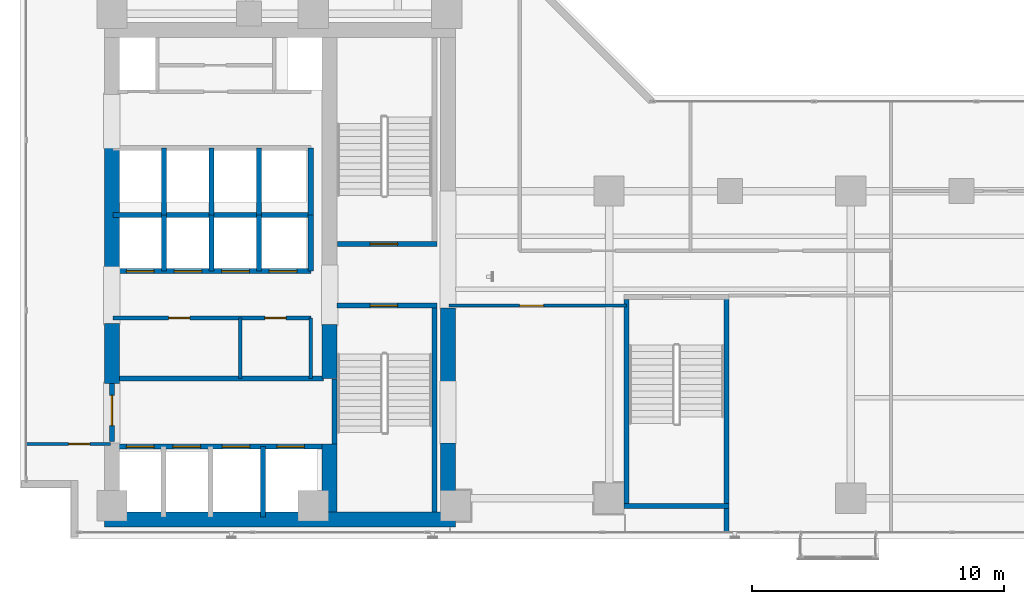
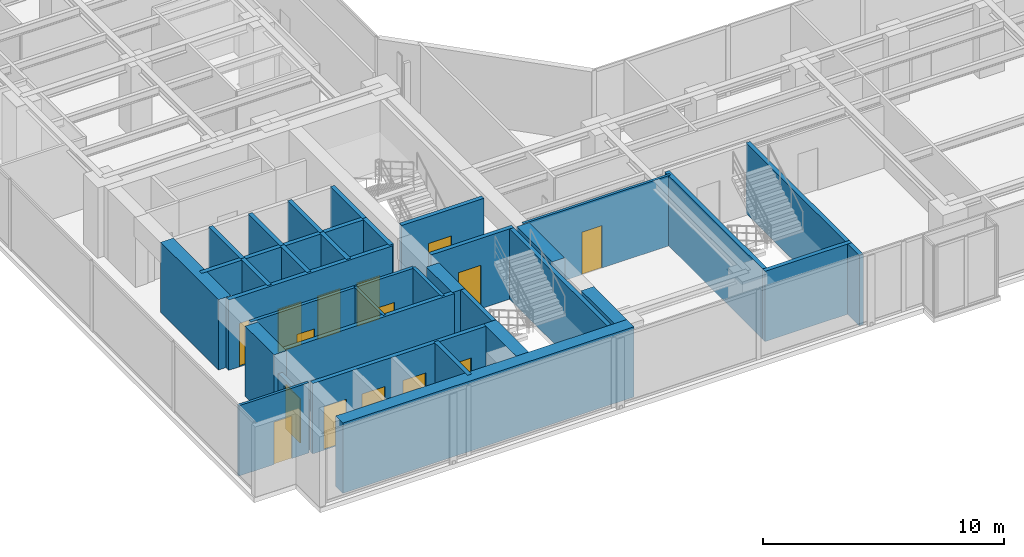
# One storey, part 20 of 27: 33 walls, 15 doors, 15 openings.
"""IFC4 building model written with IfcOpenShell, lengths in metres."""

from ifc_helpers import new_model, si_unit, direction, frame, frame_2d, origin, place, context, subcontext, project, spatial, rectangle, extrude, material, layer, layer_set, type_object, element, fill, save


model = new_model("IFC4")

# Units and contexts
model_context = context("Model", 3, precision=1e-05, world=origin(), true_north=direction((0.0, 1.0)))
body_context = subcontext(model_context, "Body", "Model", "MODEL_VIEW")
ifc_project = project(units=[si_unit("LENGTHUNIT", "METRE"), si_unit("AREAUNIT", "SQUARE_METRE"), si_unit("VOLUMEUNIT", "CUBIC_METRE"), si_unit("PLANEANGLEUNIT", "RADIAN"), si_unit("MASSUNIT", "GRAM", prefix="KILO")], contexts=[model_context])

# Site, building, storey
site_placement = place(None, origin())
site = spatial("IfcSite", under=ifc_project, at=site_placement, CompositionType="ELEMENT")
building_placement = place(site_placement, origin())
building = spatial("IfcBuilding", under=site, at=building_placement, Name="Kolvaren Waterfront Exchange", CompositionType="ELEMENT")
storey_placement = place(building_placement, frame((0.0, 0.0, 176.60009765625)))
storey = spatial("IfcBuildingStorey", under=building, at=storey_placement, Name="L45", CompositionType="ELEMENT", Elevation=176.60009765625)

# Wall, opening, door
ifc_material_1 = material(Name="Precast concrete C40/50", Category="concrete")
ifc_layer_1 = layer(ifc_material_1, 0.199951171875, Name="Precast concrete C40/50")
ifc_layer_set_1 = layer_set([ifc_layer_1], Name="Precast concrete C40/50")
wall_type_1 = type_object("IfcWallType", Name="ARC-FIRE-200", PredefinedType="PARTITIONING", material=ifc_layer_set_1)
wall_1_placement = place(storey_placement, frame((16.39990234375, 12.85009765625, 0.0), z_axis=(0.0, 0.0, 1.0), x_axis=(1.0, 0.0, 0.0)))
wall_1 = element("IfcWall", 1, at=wall_1_placement, inside=storey, type_object=wall_type_1, Name="L45 interior wall PW-L45-ST1-THROAT-S", PredefinedType="PARTITIONING", context=body_context, shape_type="SweptSolid", body=[
    extrude(rectangle(XDim=3.960205078125, YDim=0.199951171875, at=frame_2d((1.97998046875, 0.0))), origin(), (0.0, 0.0, 1.0), 3.559814453125),
])
opening_1_placement = place(wall_1_placement, frame((1.3037109375, 0.0, 0.0)))
opening_1 = element("IfcOpeningElement", 2, at=opening_1_placement, cuts=wall_1, Name="Opening FD2", PredefinedType="OPENING", context=body_context, shape_type="SweptSolid", body=[
    extrude(rectangle(XDim=1.10009765625, YDim=2.199951171875, at=frame_2d((0.550048828125, 1.10009765625))), frame((0.0, 0.10986328125, 0.0), z_axis=(0.0, -1.0, 0.0), x_axis=(1.0, 0.0, 0.0)), (0.0, 0.0, 1.0), 0.219970703125),
])
ifc_material_2 = material(Name="Pressed steel smoke-seal fire door", Category="steel")
door_type_1 = type_object("IfcDoorType", Name="ARC-FD-1100", OperationType="NOTDEFINED", PredefinedType="DOOR", material=ifc_material_2)
door_1_placement = place(opening_1_placement, frame((1.10009765625, 0.0, 0.0), z_axis=(0.0, 0.0, 1.0), x_axis=(-1.0, 0.0, 0.0)))
door_1 = element("IfcDoor", 3, at=door_1_placement, inside=storey, type_object=door_type_1, Name="L45 door DR-L45-ST1-IN (FD2)", OperationType="SINGLE_SWING_RIGHT", OverallHeight=2.199951171875, OverallWidth=1.10009765625, PredefinedType="DOOR", context=body_context, shape_type="SweptSolid", body=[
    extrude(rectangle(XDim=1.10009765625, YDim=2.199951171875, at=frame_2d((0.550048828125, 1.10009765625))), frame((0.0, 0.02490234375, 0.0), z_axis=(0.0, -1.0, 0.0), x_axis=(1.0, 0.0, 0.0)), (0.0, 0.0, 1.0), 0.050048828125),
])
fill(opening_1, door_1)

wall_2_placement = place(storey_placement, frame((16.409912109375, 15.300048828125, 0.0), z_axis=(0.0, 0.0, 1.0), x_axis=(1.0, 0.0, 0.0)))
wall_2 = element("IfcWall", 4, at=wall_2_placement, inside=storey, type_object=wall_type_1, Name="L45 interior wall PW-L45-ST2-THROAT-N", PredefinedType="PARTITIONING", context=body_context, shape_type="SweptSolid", body=[
    extrude(rectangle(XDim=3.9501953125, YDim=0.199951171875, at=frame_2d((1.97509765625, 0.0))), origin(), (0.0, 0.0, 1.0), 3.559814453125),
])
opening_2_placement = place(wall_2_placement, frame((1.293701171875, 0.0, 0.0)))
opening_2 = element("IfcOpeningElement", 5, at=opening_2_placement, cuts=wall_2, Name="Opening FD2", PredefinedType="OPENING", context=body_context, shape_type="SweptSolid", body=[
    extrude(rectangle(XDim=1.10009765625, YDim=2.199951171875, at=frame_2d((0.550048828125, 1.10009765625))), frame((0.0, 0.10986328125, 0.0), z_axis=(0.0, -1.0, 0.0), x_axis=(1.0, 0.0, 0.0)), (0.0, 0.0, 1.0), 0.219970703125),
])
door_2_placement = place(opening_2_placement, origin())
door_2 = element("IfcDoor", 6, at=door_2_placement, inside=storey, type_object=door_type_1, Name="L45 door DR-L45-ST2-IN (FD2)", OperationType="SINGLE_SWING_LEFT", OverallHeight=2.199951171875, OverallWidth=1.10009765625, PredefinedType="DOOR", context=body_context, shape_type="SweptSolid", body=[
    extrude(rectangle(XDim=1.10009765625, YDim=2.199951171875, at=frame_2d((0.550048828125, 1.10009765625))), frame((0.0, 0.02490234375, 0.0), z_axis=(0.0, -1.0, 0.0), x_axis=(1.0, 0.0, 0.0)), (0.0, 0.0, 1.0), 0.050048828125),
])
fill(opening_2, door_2)

# Wall
wall_3_placement = place(storey_placement, frame((7.5, 9.949951171875, 0.0), z_axis=(0.0, 0.0, 1.0), x_axis=(1.0, 0.0, 0.0)))
element("IfcWall", 7, at=wall_3_placement, inside=storey, type_object=wall_type_1, Name="L45 interior wall PW-L45-FF-N", PredefinedType="PARTITIONING", context=body_context, shape_type="SweptSolid", body=[
    extrude(rectangle(XDim=8.35009765625, YDim=0.199951171875, at=frame_2d((4.175048828125, 0.0))), origin(), (0.0, 0.0, 1.0), 3.559814453125),
])

# Wall, opening, door
wall_4_placement = place(storey_placement, frame((7.449951171875, 7.449951171875, 0.0), z_axis=(0.0, 0.0, 1.0), x_axis=(0.0, 1.0, 0.0)))
wall_4 = element("IfcWall", 8, at=wall_4_placement, inside=storey, type_object=wall_type_1, Name="L45 interior wall PW-L45-FF-W-DOOR", PredefinedType="PARTITIONING", context=body_context, shape_type="SweptSolid", body=[
    extrude(rectangle(XDim=2.300048828125, YDim=0.199951171875, at=frame_2d((1.14990234375, 0.0))), origin(), (0.0, 0.0, 1.0), 2.539794921875),
])
opening_3_placement = place(wall_4_placement, frame((0.63330078125, 0.0, 0.0)))
opening_3 = element("IfcOpeningElement", 9, at=opening_3_placement, cuts=wall_4, Name="Opening FD3", PredefinedType="OPENING", context=body_context, shape_type="SweptSolid", body=[
    extrude(rectangle(XDim=1.199951171875, YDim=2.25, at=frame_2d((0.60009765625, 1.125))), frame((0.0, 0.10986328125, 0.0), z_axis=(0.0, -1.0, 0.0), x_axis=(1.0, 0.0, 0.0)), (0.0, 0.0, 1.0), 0.219970703125),
])
ifc_material_3 = material(Name="Pressed steel fire door", Category="steel")
door_type_2 = type_object("IfcDoorType", Name="ARC-FD-1200", OperationType="NOTDEFINED", PredefinedType="DOOR", material=ifc_material_3)
door_3_placement = place(opening_3_placement, frame((1.199951171875, 0.0, 0.0), z_axis=(0.0, 0.0, 1.0), x_axis=(-1.0, 0.0, 0.0)))
door_3 = element("IfcDoor", 10, at=door_3_placement, inside=storey, type_object=door_type_2, Name="L45 door DR-L45-FF-OUT (FD3)", OperationType="SINGLE_SWING_LEFT", OverallHeight=2.25, OverallWidth=1.199951171875, PredefinedType="DOOR", context=body_context, shape_type="SweptSolid", body=[
    extrude(rectangle(XDim=1.199951171875, YDim=2.25, at=frame_2d((0.60009765625, 1.125))), frame((0.0, 0.02490234375, 0.0), z_axis=(0.0, -1.0, 0.0), x_axis=(1.0, 0.0, 0.0)), (0.0, 0.0, 1.0), 0.050048828125),
])
fill(opening_3, door_3)

# Wall
ifc_material_4 = material(Name="Acoustic gypsum steel stud", Category="steel")
ifc_layer_2 = layer(ifc_material_4, 0.125, Name="Acoustic gypsum steel stud")
ifc_layer_set_2 = layer_set([ifc_layer_2], Name="Acoustic gypsum steel stud")
wall_type_2 = type_object("IfcWallType", Name="ARC-PART-125", PredefinedType="PARTITIONING", material=ifc_layer_set_2)
wall_5_placement = place(storey_placement, frame((12.550048828125, 9.949951171875, 0.0), z_axis=(0.0, 0.0, 1.0), x_axis=(0.0, 1.0, 0.0)))
element("IfcWall", 11, at=wall_5_placement, inside=storey, type_object=wall_type_2, Name="L45 interior wall PW-L45-REC-PL-MID", PredefinedType="PARTITIONING", context=body_context, shape_type="SweptSolid", body=[
    extrude(rectangle(XDim=2.41015625, YDim=0.125, at=frame_2d((1.205078125, 0.0))), origin(), (0.0, 0.0, 1.0), 3.559814453125),
])

# Wall, opening, door
wall_6_placement = place(storey_placement, frame((4.0400390625, 7.35009765625, 0.0), z_axis=(0.0, 0.0, 1.0), x_axis=(1.0, 0.0, 0.0)))
wall_6 = element("IfcWall", 12, at=wall_6_placement, inside=storey, type_object=wall_type_2, Name="L45 interior wall PW-L45-SWC-N", PredefinedType="PARTITIONING", context=body_context, shape_type="SweptSolid", body=[
    extrude(rectangle(XDim=3.35986328125, YDim=0.125, at=frame_2d((1.679931640625, 0.0))), origin(), (0.0, 0.0, 1.0), 3.559814453125),
])
opening_4_placement = place(wall_6_placement, frame((1.686767578125, 0.0, 0.0)))
opening_4 = element("IfcOpeningElement", 13, at=opening_4_placement, cuts=wall_6, Name="Opening D01", PredefinedType="OPENING", context=body_context, shape_type="SweptSolid", body=[
    extrude(rectangle(XDim=0.85009765625, YDim=2.14990234375, at=frame_2d((0.425048828125, 1.074951171875))), frame((0.0, 0.072509765625, 0.0), z_axis=(0.0, -1.0, 0.0), x_axis=(1.0, 0.0, 0.0)), (0.0, 0.0, 1.0), 0.14501953125),
])
ifc_material_5 = material(Name="Oak veneer timber leaf", Category="wood")
door_type_3 = type_object("IfcDoorType", Name="ARC-DR-900", OperationType="NOTDEFINED", PredefinedType="DOOR", material=ifc_material_5)
door_4_placement = place(opening_4_placement, origin())
door_4 = element("IfcDoor", 14, at=door_4_placement, inside=storey, type_object=door_type_3, Name="L45 door DR-L45-SWC-D (D01)", OperationType="SINGLE_SWING_RIGHT", OverallHeight=2.14990234375, OverallWidth=0.85009765625, PredefinedType="DOOR", context=body_context, shape_type="SweptSolid", body=[
    extrude(rectangle(XDim=0.85009765625, YDim=2.14990234375, at=frame_2d((0.425048828125, 1.074951171875))), frame((0.0, 0.02490234375, 0.0), z_axis=(0.0, -1.0, 0.0), x_axis=(1.0, 0.0, 0.0)), (0.0, 0.0, 1.0), 0.050048828125),
])
fill(opening_4, door_4)

wall_7_placement = place(storey_placement, frame((20.85009765625, 12.85009765625, 0.0), z_axis=(0.0, 0.0, 1.0), x_axis=(1.0, 0.0, 0.0)))
wall_7 = element("IfcWall", 15, at=wall_7_placement, inside=storey, type_object=wall_type_2, Name="L45 interior wall PW-L45-SWST3-N", PredefinedType="PARTITIONING", context=body_context, shape_type="SweptSolid", body=[
    extrude(rectangle(XDim=7.0498046875, YDim=0.125, at=frame_2d((3.52490234375, 0.0))), origin(), (0.0, 0.0, 1.0), 3.559814453125),
])
opening_5_placement = place(wall_7_placement, frame((2.800048828125, 0.0, 0.0)))
opening_5 = element("IfcOpeningElement", 16, at=opening_5_placement, cuts=wall_7, Name="Opening D02", PredefinedType="OPENING", context=body_context, shape_type="SweptSolid", body=[
    extrude(rectangle(XDim=0.949951171875, YDim=2.14990234375, at=frame_2d((0.47509765625, 1.074951171875))), frame((0.0, 0.072509765625, 0.0), z_axis=(0.0, -1.0, 0.0), x_axis=(1.0, 0.0, 0.0)), (0.0, 0.0, 1.0), 0.14501953125),
])
ifc_material_6 = material(Name="Oak veneer acoustic timber", Category="wood")
door_type_4 = type_object("IfcDoorType", Name="ARC-DR-950", OperationType="NOTDEFINED", PredefinedType="DOOR", material=ifc_material_6)
door_5_placement = place(opening_5_placement, origin())
door_5 = element("IfcDoor", 17, at=door_5_placement, inside=storey, type_object=door_type_4, Name="L45 door DR-L45-SWST3-D (D02)", OperationType="SINGLE_SWING_LEFT", OverallHeight=2.14990234375, OverallWidth=0.949951171875, PredefinedType="DOOR", context=body_context, shape_type="SweptSolid", body=[
    extrude(rectangle(XDim=0.949951171875, YDim=2.14990234375, at=frame_2d((0.47509765625, 1.074951171875))), frame((0.0, 0.02490234375, 0.0), z_axis=(0.0, -1.0, 0.0), x_axis=(1.0, 0.0, 0.0)), (0.0, 0.0, 1.0), 0.050048828125),
])
fill(opening_5, door_5)

# Wall, openings, doors
ifc_material_7 = material(Name="Gypsum fireboard steel stud", Category="steel")
ifc_layer_3 = layer(ifc_material_7, 0.14990234375, Name="Gypsum fireboard steel stud")
ifc_layer_set_3 = layer_set([ifc_layer_3], Name="Gypsum fireboard steel stud")
wall_type_3 = type_object("IfcWallType", Name="ARC-PART-150", PredefinedType="PARTITIONING", material=ifc_layer_set_3)
wall_8_placement = place(storey_placement, frame((7.5, 12.360107421875, 0.0), z_axis=(0.0, 0.0, 1.0), x_axis=(1.0, 0.0, 0.0)))
wall_8 = element("IfcWall", 18, at=wall_8_placement, inside=storey, type_object=wall_type_3, Name="L45 interior wall PW-L45-REC-PL-N", PredefinedType="PARTITIONING", context=body_context, shape_type="SweptSolid", body=[
    extrude(rectangle(XDim=7.85009765625, YDim=0.14990234375, at=frame_2d((3.925048828125, 0.0))), origin(), (0.0, 0.0, 1.0), 3.559814453125),
])
opening_6_placement = place(wall_8_placement, frame((2.202392578125, 0.0, 0.0)))
opening_6 = element("IfcOpeningElement", 19, at=opening_6_placement, cuts=wall_8, Name="Opening D01", PredefinedType="OPENING", context=body_context, shape_type="SweptSolid", body=[
    extrude(rectangle(XDim=0.85009765625, YDim=2.14990234375, at=frame_2d((0.425048828125, 1.074951171875))), frame((0.0, 0.0849609375, 0.0), z_axis=(0.0, -1.0, 0.0), x_axis=(1.0, 0.0, 0.0)), (0.0, 0.0, 1.0), 0.169921875),
])
opening_7_placement = place(wall_8_placement, frame((6.02490234375, 0.0, 0.0)))
opening_7 = element("IfcOpeningElement", 20, at=opening_7_placement, cuts=wall_8, Name="Opening D01", PredefinedType="OPENING", context=body_context, shape_type="SweptSolid", body=[
    extrude(rectangle(XDim=0.85009765625, YDim=2.14990234375, at=frame_2d((0.425048828125, 1.074951171875))), frame((0.0, 0.0849609375, 0.0), z_axis=(0.0, -1.0, 0.0), x_axis=(1.0, 0.0, 0.0)), (0.0, 0.0, 1.0), 0.169921875),
])
door_6_placement = place(opening_6_placement, origin())
door_6 = element("IfcDoor", 21, at=door_6_placement, inside=storey, type_object=door_type_3, Name="L45 door DR-L45-REC-PL-D1 (D01)", OperationType="SINGLE_SWING_RIGHT", OverallHeight=2.14990234375, OverallWidth=0.85009765625, PredefinedType="DOOR", context=body_context, shape_type="SweptSolid", body=[
    extrude(rectangle(XDim=0.85009765625, YDim=2.14990234375, at=frame_2d((0.425048828125, 1.074951171875))), frame((0.0, 0.02490234375, 0.0), z_axis=(0.0, -1.0, 0.0), x_axis=(1.0, 0.0, 0.0)), (0.0, 0.0, 1.0), 0.050048828125),
])
fill(opening_6, door_6)
door_7_placement = place(opening_7_placement, origin())
door_7 = element("IfcDoor", 22, at=door_7_placement, inside=storey, type_object=door_type_3, Name="L45 door DR-L45-REC-PL-D2 (D01)", OperationType="SINGLE_SWING_LEFT", OverallHeight=2.14990234375, OverallWidth=0.85009765625, PredefinedType="DOOR", context=body_context, shape_type="SweptSolid", body=[
    extrude(rectangle(XDim=0.85009765625, YDim=2.14990234375, at=frame_2d((0.425048828125, 1.074951171875))), frame((0.0, 0.02490234375, 0.0), z_axis=(0.0, -1.0, 0.0), x_axis=(1.0, 0.0, 0.0)), (0.0, 0.0, 1.0), 0.050048828125),
])
fill(opening_7, door_7)

# Walls
wall_9_placement = place(storey_placement, frame((15.35009765625, 9.949951171875, 0.0), z_axis=(0.0, 0.0, 1.0), x_axis=(0.0, 1.0, 0.0)))
element("IfcWall", 23, at=wall_9_placement, inside=storey, type_object=wall_type_3, Name="L45 interior wall PW-L45-REC-PL-E", PredefinedType="PARTITIONING", context=body_context, shape_type="SweptSolid", body=[
    extrude(rectangle(XDim=2.41015625, YDim=0.14990234375, at=frame_2d((1.205078125, 0.0))), origin(), (0.0, 0.0, 1.0), 3.559814453125),
])
ifc_material_8 = material(Name="Concrete C40/50", Category="concrete")
ifc_layer_4 = layer(ifc_material_8, 0.199951171875, Name="Concrete C40/50")
ifc_layer_set_4 = layer_set([ifc_layer_4], Name="Concrete C40/50")
wall_type_4 = type_object("IfcWallType", Name="ARC-SHAFT-200", PredefinedType="PARTITIONING", material=ifc_layer_set_4)
wall_10_placement = place(storey_placement, frame((16.300048828125, 7.360107421875, 0.0), z_axis=(0.0, 0.0, 1.0), x_axis=(0.0, 1.0, 0.0)))
element("IfcWall", 24, at=wall_10_placement, inside=storey, type_object=wall_type_4, Name="L45 structural stairwell wall PW-L45-ST1-W", PredefinedType="SHEAR", context=body_context, shape_type="SweptSolid", body=[
    extrude(rectangle(XDim=2.579833984375, YDim=0.199951171875, at=frame_2d((1.2900390625, 0.0))), origin(), (0.0, 0.0, 1.0), 3.559814453125),
])
wall_11_placement = place(storey_placement, frame((20.260009765625, 4.659912109375, 0.0), z_axis=(0.0, 0.0, 1.0), x_axis=(0.0, 1.0, 0.0)))
element("IfcWall", 25, at=wall_11_placement, inside=storey, type_object=wall_type_4, Name="L45 structural stairwell wall PW-L45-ST1-E", PredefinedType="SHEAR", context=body_context, shape_type="SweptSolid", body=[
    extrude(rectangle(XDim=8.090087890625, YDim=0.199951171875, at=frame_2d((4.044921875, 0.0))), origin(), (0.0, 0.0, 1.0), 3.559814453125),
])
wall_12_placement = place(storey_placement, frame((27.89990234375, 5.0, 0.0), z_axis=(0.0, 0.0, 1.0), x_axis=(0.0, 1.0, 0.0)))
element("IfcWall", 26, at=wall_12_placement, inside=storey, type_object=wall_type_4, Name="L45 structural stairwell wall PW-L45-ST3-W", PredefinedType="SHEAR", context=body_context, shape_type="SweptSolid", body=[
    extrude(rectangle(XDim=8.10009765625, YDim=0.199951171875, at=frame_2d((4.050048828125, 0.0))), origin(), (0.0, 0.0, 1.0), 3.559814453125),
])
wall_13_placement = place(storey_placement, frame((31.860107421875, 3.840087890625, 0.0), z_axis=(0.0, 0.0, 1.0), x_axis=(0.0, 1.0, 0.0)))
element("IfcWall", 27, at=wall_13_placement, inside=storey, type_object=wall_type_4, Name="L45 structural stairwell wall PW-L45-ST3-E", PredefinedType="SHEAR", context=body_context, shape_type="SweptSolid", body=[
    extrude(rectangle(XDim=9.409912109375, YDim=0.199951171875, at=frame_2d((4.705078125, 0.0))), origin(), (0.0, 0.0, 1.0), 3.559814453125),
])
wall_14_placement = place(storey_placement, frame((27.800048828125, 4.89990234375, 0.0), z_axis=(0.0, 0.0, 1.0), x_axis=(1.0, 0.0, 0.0)))
element("IfcWall", 28, at=wall_14_placement, inside=storey, type_object=wall_type_4, Name="L45 structural stairwell wall PW-L45-ST3-S", PredefinedType="SHEAR", context=body_context, shape_type="SweptSolid", body=[
    extrude(rectangle(XDim=4.159912109375, YDim=0.199951171875, at=frame_2d((2.080078125, 0.0))), origin(), (0.0, 0.0, 1.0), 3.559814453125),
])

# Wall, openings, doors
wall_15_placement = place(storey_placement, frame((7.5, 7.25, 0.0), z_axis=(0.0, 0.0, 1.0), x_axis=(1.0, 0.0, 0.0)))
wall_15 = element("IfcWall", 29, at=wall_15_placement, inside=storey, type_object=wall_type_4, Name="L45 interior wall PW-L45-FF-S", PredefinedType="PARTITIONING", context=body_context, shape_type="SweptSolid", body=[
    extrude(rectangle(XDim=8.35009765625, YDim=0.199951171875, at=frame_2d((4.175048828125, 0.0))), origin(), (0.0, 0.0, 1.0), 3.559814453125),
])
opening_8_placement = place(wall_15_placement, frame((0.530029296875, 0.0, 0.0)))
opening_8 = element("IfcOpeningElement", 30, at=opening_8_placement, cuts=wall_15, Name="Opening LD1", PredefinedType="OPENING", context=body_context, shape_type="SweptSolid", body=[
    extrude(rectangle(XDim=1.10009765625, YDim=2.199951171875, at=frame_2d((0.550048828125, 1.10009765625))), frame((0.0, 0.10986328125, 0.0), z_axis=(0.0, -1.0, 0.0), x_axis=(1.0, 0.0, 0.0)), (0.0, 0.0, 1.0), 0.219970703125),
])
opening_9_placement = place(wall_15_placement, frame((2.3701171875, 0.0, 0.0)))
opening_9 = element("IfcOpeningElement", 31, at=opening_9_placement, cuts=wall_15, Name="Opening LD1", PredefinedType="OPENING", context=body_context, shape_type="SweptSolid", body=[
    extrude(rectangle(XDim=1.10009765625, YDim=2.199951171875, at=frame_2d((0.550048828125, 1.10009765625))), frame((0.0, 0.10986328125, 0.0), z_axis=(0.0, -1.0, 0.0), x_axis=(1.0, 0.0, 0.0)), (0.0, 0.0, 1.0), 0.219970703125),
])
opening_10_placement = place(wall_15_placement, frame((4.330078125, 0.0, 0.0)))
opening_10 = element("IfcOpeningElement", 32, at=opening_10_placement, cuts=wall_15, Name="Opening LD1", PredefinedType="OPENING", context=body_context, shape_type="SweptSolid", body=[
    extrude(rectangle(XDim=1.10009765625, YDim=2.199951171875, at=frame_2d((0.550048828125, 1.10009765625))), frame((0.0, 0.10986328125, 0.0), z_axis=(0.0, -1.0, 0.0), x_axis=(1.0, 0.0, 0.0)), (0.0, 0.0, 1.0), 0.219970703125),
])
opening_11_placement = place(wall_15_placement, frame((6.5, 0.0, 0.0)))
opening_11 = element("IfcOpeningElement", 33, at=opening_11_placement, cuts=wall_15, Name="Opening LD1", PredefinedType="OPENING", context=body_context, shape_type="SweptSolid", body=[
    extrude(rectangle(XDim=1.10009765625, YDim=2.199951171875, at=frame_2d((0.550048828125, 1.10009765625))), frame((0.0, 0.10986328125, 0.0), z_axis=(0.0, -1.0, 0.0), x_axis=(1.0, 0.0, 0.0)), (0.0, 0.0, 1.0), 0.219970703125),
])
ifc_material_9 = material(Name="Stainless steel sliding landing door", Category="steel")
door_type_5 = type_object("IfcDoorType", Name="ARC-LD-FF", OperationType="SLIDING_TO_LEFT", PredefinedType="DOOR", material=ifc_material_9)
door_8_placement = place(opening_8_placement, origin())
door_8 = element("IfcDoor", 34, at=door_8_placement, inside=storey, type_object=door_type_5, Name="L45 door LD-L45-FFL1 (LD1)", OperationType="SLIDING_TO_LEFT", OverallHeight=2.199951171875, OverallWidth=1.10009765625, PredefinedType="DOOR", context=body_context, shape_type="SweptSolid", body=[
    extrude(rectangle(XDim=1.10009765625, YDim=2.199951171875, at=frame_2d((0.550048828125, 1.10009765625))), frame((0.0, 0.02490234375, 0.0), z_axis=(0.0, -1.0, 0.0), x_axis=(1.0, 0.0, 0.0)), (0.0, 0.0, 1.0), 0.050048828125),
])
fill(opening_8, door_8)
door_9_placement = place(opening_9_placement, origin())
door_9 = element("IfcDoor", 35, at=door_9_placement, inside=storey, type_object=door_type_5, Name="L45 door LD-L45-FFL2 (LD1)", OperationType="SLIDING_TO_LEFT", OverallHeight=2.199951171875, OverallWidth=1.10009765625, PredefinedType="DOOR", context=body_context, shape_type="SweptSolid", body=[
    extrude(rectangle(XDim=1.10009765625, YDim=2.199951171875, at=frame_2d((0.550048828125, 1.10009765625))), frame((0.0, 0.02490234375, 0.0), z_axis=(0.0, -1.0, 0.0), x_axis=(1.0, 0.0, 0.0)), (0.0, 0.0, 1.0), 0.050048828125),
])
fill(opening_9, door_9)
door_10_placement = place(opening_10_placement, origin())
door_10 = element("IfcDoor", 36, at=door_10_placement, inside=storey, type_object=door_type_5, Name="L45 door LD-L45-GL1 (LD1)", OperationType="SLIDING_TO_LEFT", OverallHeight=2.199951171875, OverallWidth=1.10009765625, PredefinedType="DOOR", context=body_context, shape_type="SweptSolid", body=[
    extrude(rectangle(XDim=1.10009765625, YDim=2.199951171875, at=frame_2d((0.550048828125, 1.10009765625))), frame((0.0, 0.02490234375, 0.0), z_axis=(0.0, -1.0, 0.0), x_axis=(1.0, 0.0, 0.0)), (0.0, 0.0, 1.0), 0.050048828125),
])
fill(opening_10, door_10)
door_11_placement = place(opening_11_placement, origin())
door_11 = element("IfcDoor", 37, at=door_11_placement, inside=storey, type_object=door_type_5, Name="L45 door LD-L45-GL2 (LD1)", OperationType="SLIDING_TO_LEFT", OverallHeight=2.199951171875, OverallWidth=1.10009765625, PredefinedType="DOOR", context=body_context, shape_type="SweptSolid", body=[
    extrude(rectangle(XDim=1.10009765625, YDim=2.199951171875, at=frame_2d((0.550048828125, 1.10009765625))), frame((0.0, 0.02490234375, 0.0), z_axis=(0.0, -1.0, 0.0), x_axis=(1.0, 0.0, 0.0)), (0.0, 0.0, 1.0), 0.050048828125),
])
fill(opening_11, door_11)

# Wall
wall_16_placement = place(storey_placement, frame((13.4599609375, 4.449951171875, 0.0), z_axis=(0.0, 0.0, 1.0), x_axis=(0.0, 1.0, 0.0)))
element("IfcWall", 38, at=wall_16_placement, inside=storey, type_object=wall_type_4, Name="L45 interior wall PW-L45-SH1-DIV-134", PredefinedType="PARTITIONING", context=body_context, shape_type="SweptSolid", body=[
    extrude(rectangle(XDim=2.800048828125, YDim=0.199951171875, at=frame_2d((1.39990234375, 0.0))), origin(), (0.0, 0.0, 1.0), 3.559814453125),
])

# Wall, openings, doors
wall_17_placement = place(storey_placement, frame((7.5, 14.219970703125, 0.0), z_axis=(0.0, 0.0, 1.0), x_axis=(1.0, 0.0, 0.0)))
wall_17 = element("IfcWall", 39, at=wall_17_placement, inside=storey, type_object=wall_type_4, Name="L45 interior wall PW-L45-PM-S", PredefinedType="PARTITIONING", context=body_context, shape_type="SweptSolid", body=[
    extrude(rectangle(XDim=7.85009765625, YDim=0.199951171875, at=frame_2d((3.925048828125, 0.0))), origin(), (0.0, 0.0, 1.0), 3.559814453125),
])
opening_12_placement = place(wall_17_placement, frame((0.530029296875, 0.0, 0.0)))
opening_12 = element("IfcOpeningElement", 40, at=opening_12_placement, cuts=wall_17, Name="Opening LD2", PredefinedType="OPENING", context=body_context, shape_type="SweptSolid", body=[
    extrude(rectangle(XDim=1.10009765625, YDim=2.199951171875, at=frame_2d((0.550048828125, 1.10009765625))), frame((0.0, 0.10986328125, 0.0), z_axis=(0.0, -1.0, 0.0), x_axis=(1.0, 0.0, 0.0)), (0.0, 0.0, 1.0), 0.219970703125),
])
opening_13_placement = place(wall_17_placement, frame((2.419921875, 0.0, 0.0)))
opening_13 = element("IfcOpeningElement", 41, at=opening_13_placement, cuts=wall_17, Name="Opening LD2", PredefinedType="OPENING", context=body_context, shape_type="SweptSolid", body=[
    extrude(rectangle(XDim=1.10009765625, YDim=2.199951171875, at=frame_2d((0.550048828125, 1.10009765625))), frame((0.0, 0.10986328125, 0.0), z_axis=(0.0, -1.0, 0.0), x_axis=(1.0, 0.0, 0.0)), (0.0, 0.0, 1.0), 0.219970703125),
])
opening_14_placement = place(wall_17_placement, frame((4.31005859375, 0.0, 0.0)))
opening_14 = element("IfcOpeningElement", 42, at=opening_14_placement, cuts=wall_17, Name="Opening LD2", PredefinedType="OPENING", context=body_context, shape_type="SweptSolid", body=[
    extrude(rectangle(XDim=1.10009765625, YDim=2.199951171875, at=frame_2d((0.550048828125, 1.10009765625))), frame((0.0, 0.10986328125, 0.0), z_axis=(0.0, -1.0, 0.0), x_axis=(1.0, 0.0, 0.0)), (0.0, 0.0, 1.0), 0.219970703125),
])
opening_15_placement = place(wall_17_placement, frame((6.199951171875, 0.0, 0.0)))
opening_15 = element("IfcOpeningElement", 43, at=opening_15_placement, cuts=wall_17, Name="Opening LD2", PredefinedType="OPENING", context=body_context, shape_type="SweptSolid", body=[
    extrude(rectangle(XDim=1.10009765625, YDim=2.199951171875, at=frame_2d((0.550048828125, 1.10009765625))), frame((0.0, 0.10986328125, 0.0), z_axis=(0.0, -1.0, 0.0), x_axis=(1.0, 0.0, 0.0)), (0.0, 0.0, 1.0), 0.219970703125),
])
ifc_material_10 = material(Name="Brushed bronze sliding landing door", Category="aluminium")
door_type_6 = type_object("IfcDoorType", Name="ARC-LD-PAX", OperationType="SLIDING_TO_LEFT", PredefinedType="DOOR", material=ifc_material_10)
door_12_placement = place(opening_12_placement, frame((1.10009765625, 0.0, 0.0), z_axis=(0.0, 0.0, 1.0), x_axis=(-1.0, 0.0, 0.0)))
door_12 = element("IfcDoor", 44, at=door_12_placement, inside=storey, type_object=door_type_6, Name="L45 door LD-L45-PM1 (LD2)", OperationType="SLIDING_TO_LEFT", OverallHeight=2.199951171875, OverallWidth=1.10009765625, PredefinedType="DOOR", context=body_context, shape_type="SweptSolid", body=[
    extrude(rectangle(XDim=1.10009765625, YDim=2.199951171875, at=frame_2d((0.550048828125, 1.10009765625))), frame((0.0, 0.02490234375, 0.0), z_axis=(0.0, -1.0, 0.0), x_axis=(1.0, 0.0, 0.0)), (0.0, 0.0, 1.0), 0.050048828125),
])
fill(opening_12, door_12)
door_13_placement = place(opening_13_placement, frame((1.10009765625, 0.0, 0.0), z_axis=(0.0, 0.0, 1.0), x_axis=(-1.0, 0.0, 0.0)))
door_13 = element("IfcDoor", 45, at=door_13_placement, inside=storey, type_object=door_type_6, Name="L45 door LD-L45-PM2 (LD2)", OperationType="SLIDING_TO_LEFT", OverallHeight=2.199951171875, OverallWidth=1.10009765625, PredefinedType="DOOR", context=body_context, shape_type="SweptSolid", body=[
    extrude(rectangle(XDim=1.10009765625, YDim=2.199951171875, at=frame_2d((0.550048828125, 1.10009765625))), frame((0.0, 0.02490234375, 0.0), z_axis=(0.0, -1.0, 0.0), x_axis=(1.0, 0.0, 0.0)), (0.0, 0.0, 1.0), 0.050048828125),
])
fill(opening_13, door_13)
door_14_placement = place(opening_14_placement, frame((1.10009765625, 0.0, 0.0), z_axis=(0.0, 0.0, 1.0), x_axis=(-1.0, 0.0, 0.0)))
door_14 = element("IfcDoor", 46, at=door_14_placement, inside=storey, type_object=door_type_6, Name="L45 door LD-L45-PM3 (LD2)", OperationType="SLIDING_TO_LEFT", OverallHeight=2.199951171875, OverallWidth=1.10009765625, PredefinedType="DOOR", context=body_context, shape_type="SweptSolid", body=[
    extrude(rectangle(XDim=1.10009765625, YDim=2.199951171875, at=frame_2d((0.550048828125, 1.10009765625))), frame((0.0, 0.02490234375, 0.0), z_axis=(0.0, -1.0, 0.0), x_axis=(1.0, 0.0, 0.0)), (0.0, 0.0, 1.0), 0.050048828125),
])
fill(opening_14, door_14)
door_15_placement = place(opening_15_placement, frame((1.10009765625, 0.0, 0.0), z_axis=(0.0, 0.0, 1.0), x_axis=(-1.0, 0.0, 0.0)))
door_15 = element("IfcDoor", 47, at=door_15_placement, inside=storey, type_object=door_type_6, Name="L45 door LD-L45-PM4 (LD2)", OperationType="SLIDING_TO_LEFT", OverallHeight=2.199951171875, OverallWidth=1.10009765625, PredefinedType="DOOR", context=body_context, shape_type="SweptSolid", body=[
    extrude(rectangle(XDim=1.10009765625, YDim=2.199951171875, at=frame_2d((0.550048828125, 1.10009765625))), frame((0.0, 0.02490234375, 0.0), z_axis=(0.0, -1.0, 0.0), x_axis=(1.0, 0.0, 0.0)), (0.0, 0.0, 1.0), 0.050048828125),
])
fill(opening_15, door_15)

# Walls
wall_18_placement = place(storey_placement, frame((7.5, 16.449951171875, 0.0), z_axis=(0.0, 0.0, 1.0), x_axis=(1.0, 0.0, 0.0)))
element("IfcWall", 48, at=wall_18_placement, inside=storey, type_object=wall_type_4, Name="L45 interior wall PW-L45-PM-N", PredefinedType="PARTITIONING", context=body_context, shape_type="SweptSolid", body=[
    extrude(rectangle(XDim=7.85009765625, YDim=0.199951171875, at=frame_2d((3.925048828125, 0.0))), origin(), (0.0, 0.0, 1.0), 3.559814453125),
])
for number, where, z_axis, x_axis, name in (
    (49, (15.35009765625, 14.219970703125, 0.0), (0.0, 0.0, 1.0), (0.0, 1.0, 0.0), "L45 interior wall PW-L45-PM-E"),
    (50, (9.52001953125, 14.219970703125, 0.0), (0.0, 0.0, 1.0), (0.0, 1.0, 0.0), "L45 interior wall PW-L45-SH3-DIV-95"),
    (51, (11.409912109375, 14.219970703125, 0.0), (0.0, 0.0, 1.0), (0.0, 1.0, 0.0), "L45 interior wall PW-L45-SH3-DIV-114"),
    (52, (13.300048828125, 14.219970703125, 0.0), (0.0, 0.0, 1.0), (0.0, 1.0, 0.0), "L45 interior wall PW-L45-SH3-DIV-133"),
):
    element("IfcWall", number, at=place(storey_placement, frame(where, z_axis=z_axis, x_axis=x_axis)), inside=storey, type_object=wall_type_4, Name=name, PredefinedType="PARTITIONING", context=body_context, shape_type="SweptSolid", body=[
        extrude(rectangle(XDim=2.22998046875, YDim=0.199951171875, at=frame_2d((1.114990234375, 0.0))), origin(), (0.0, 0.0, 1.0), 3.559814453125),
    ])
for number, where, z_axis, x_axis, name in (
    (53, (15.35009765625, 16.449951171875, 0.0), (0.0, 0.0, 1.0), (0.0, 1.0, 0.0), "L45 interior wall PW-L45-PH-E"),
    (54, (9.52001953125, 16.449951171875, 0.0), (0.0, 0.0, 1.0), (0.0, 1.0, 0.0), "L45 interior wall PW-L45-SH4-DIV-95"),
    (55, (11.409912109375, 16.449951171875, 0.0), (0.0, 0.0, 1.0), (0.0, 1.0, 0.0), "L45 interior wall PW-L45-SH4-DIV-114"),
    (56, (13.300048828125, 16.449951171875, 0.0), (0.0, 0.0, 1.0), (0.0, 1.0, 0.0), "L45 interior wall PW-L45-SH4-DIV-133"),
):
    element("IfcWall", number, at=place(storey_placement, frame(where, z_axis=z_axis, x_axis=x_axis)), inside=storey, type_object=wall_type_4, Name=name, PredefinedType="PARTITIONING", context=body_context, shape_type="SweptSolid", body=[
        extrude(rectangle(XDim=2.670166015625, YDim=0.199951171875, at=frame_2d((1.3349609375, 0.0))), origin(), (0.0, 0.0, 1.0), 3.559814453125),
    ])
ifc_material_11 = material(Name="Concrete C60/75", Category="concrete")
ifc_layer_5 = layer(ifc_material_11, 0.60009765625, Name="Concrete C60/75")
ifc_layer_set_5 = layer_set([ifc_layer_5], Name="Concrete C60/75")
wall_type_5 = type_object("IfcWallType", Name="STR-CWALL-600", PredefinedType="SHEAR", material=ifc_layer_set_5)
wall_19_placement = place(storey_placement, frame((7.14990234375, 4.35009765625, 0.0), z_axis=(0.0, 0.0, 1.0), x_axis=(1.0, 0.0, 0.0)))
element("IfcWall", 57, at=wall_19_placement, inside=storey, type_object=wall_type_5, Name="L45 rear-core shear wall S", PredefinedType="SHEAR", context=body_context, shape_type="SweptSolid", body=[
    extrude(rectangle(XDim=13.9501953125, YDim=0.60009765625, at=frame_2d((6.97509765625, 0.0))), origin(), (0.0, 0.0, 1.0), 3.559814453125),
])
wall_20_placement = place(storey_placement, frame((7.449951171875, 9.75, 0.0), z_axis=(0.0, 0.0, 1.0), x_axis=(0.0, 1.0, 0.0)))
element("IfcWall", 58, at=wall_20_placement, inside=storey, type_object=wall_type_5, Name="L45 rear-core shear wall W2A", PredefinedType="SHEAR", context=body_context, shape_type="SweptSolid", body=[
    extrude(rectangle(XDim=2.39990234375, YDim=0.60009765625, at=frame_2d((1.199951171875, 0.0))), origin(), (0.0, 0.0, 1.0), 3.559814453125),
])
wall_21_placement = place(storey_placement, frame((7.449951171875, 14.35009765625, 0.0), z_axis=(0.0, 0.0, 1.0), x_axis=(0.0, 1.0, 0.0)))
element("IfcWall", 59, at=wall_21_placement, inside=storey, type_object=wall_type_5, Name="L45 rear-core shear wall W2B", PredefinedType="SHEAR", context=body_context, shape_type="SweptSolid", body=[
    extrude(rectangle(XDim=4.809814453125, YDim=0.60009765625, at=frame_2d((2.40478515625, 0.0))), origin(), (0.0, 0.0, 1.0), 3.559814453125),
])
wall_22_placement = place(storey_placement, frame((20.800048828125, 4.64990234375, 0.0), z_axis=(0.0, 0.0, 1.0), x_axis=(0.0, 1.0, 0.0)))
element("IfcWall", 60, at=wall_22_placement, inside=storey, type_object=wall_type_5, Name="L45 rear-core shear wall E1", PredefinedType="SHEAR", context=body_context, shape_type="SweptSolid", body=[
    extrude(rectangle(XDim=2.75, YDim=0.60009765625, at=frame_2d((1.375, 0.0))), origin(), (0.0, 0.0, 1.0), 3.559814453125),
])
wall_23_placement = place(storey_placement, frame((20.800048828125, 9.800048828125, 0.0), z_axis=(0.0, 0.0, 1.0), x_axis=(0.0, 1.0, 0.0)))
element("IfcWall", 61, at=wall_23_placement, inside=storey, type_object=wall_type_5, Name="L45 rear-core shear wall E2", PredefinedType="SHEAR", context=body_context, shape_type="SweptSolid", body=[
    extrude(rectangle(XDim=2.949951171875, YDim=0.60009765625, at=frame_2d((1.47509765625, 0.0))), origin(), (0.0, 0.0, 1.0), 3.559814453125),
])
wall_24_placement = place(storey_placement, frame((16.10009765625, 4.64990234375, 0.0), z_axis=(0.0, 0.0, 1.0), x_axis=(0.0, 1.0, 0.0)))
element("IfcWall", 62, at=wall_24_placement, inside=storey, type_object=wall_type_5, Name="L45 rear-core shear wall M1", PredefinedType="SHEAR", context=body_context, shape_type="SweptSolid", body=[
    extrude(rectangle(XDim=2.7001953125, YDim=0.60009765625, at=frame_2d((1.35009765625, 0.0))), origin(), (0.0, 0.0, 1.0), 3.559814453125),
])
wall_25_placement = place(storey_placement, frame((16.10009765625, 9.949951171875, 0.0), z_axis=(0.0, 0.0, 1.0), x_axis=(0.0, 1.0, 0.0)))
element("IfcWall", 63, at=wall_25_placement, inside=storey, type_object=wall_type_5, Name="L45 rear-core shear wall M2", PredefinedType="SHEAR", context=body_context, shape_type="SweptSolid", body=[
    extrude(rectangle(XDim=2.150146484375, YDim=0.60009765625, at=frame_2d((1.0751953125, 0.0))), origin(), (0.0, 0.0, 1.0), 3.559814453125),
])

save(model, "model.ifc")
